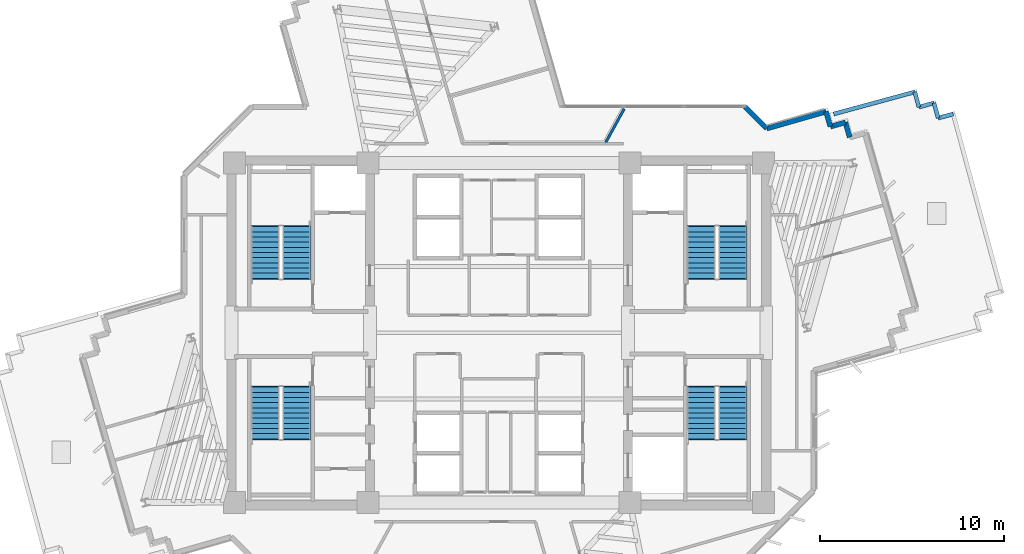
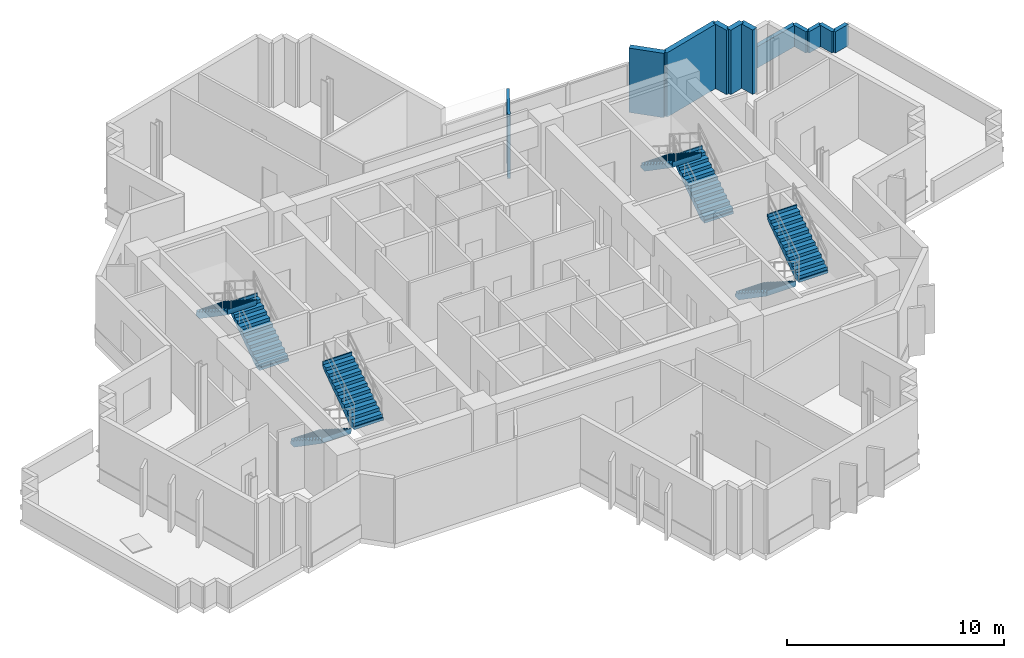
# One storey, part 11 of 14: 11 walls, 8 stair flights, 4 elements without a shape of their own.
"""IFC4 building model written with IfcOpenShell, lengths in metres."""

from ifc_helpers import new_model, si_unit, direction, frame, frame_2d, origin, place, context, subcontext, project, spatial, polyline, rectangle, outline, extrude, source, transform, mapped, material, layer, layer_set, type_object, element, aggregate, save


model = new_model("IFC4")

# Units and contexts
model_context = context("Model", 3, precision=1e-05, world=origin(), true_north=direction((0.0, 1.0)))
body_context = subcontext(model_context, "Body", "Model", "MODEL_VIEW")
ifc_project = project(units=[si_unit("LENGTHUNIT", "METRE"), si_unit("AREAUNIT", "SQUARE_METRE"), si_unit("VOLUMEUNIT", "CUBIC_METRE"), si_unit("PLANEANGLEUNIT", "RADIAN"), si_unit("MASSUNIT", "GRAM", prefix="KILO")], contexts=[model_context])

# Site, building, storey
site_placement = place(None, origin())
site = spatial("IfcSite", under=ifc_project, at=site_placement, CompositionType="ELEMENT")
building_placement = place(site_placement, origin())
building = spatial("IfcBuilding", under=site, at=building_placement, Name="Zahravan Cultural Tower", CompositionType="ELEMENT")
storey_placement = place(building_placement, frame((0.0, 0.0, 201.89990234375)))
storey = spatial("IfcBuildingStorey", under=building, at=storey_placement, Name="L47", CompositionType="ELEMENT", Elevation=201.89990234375)

# Walls
ifc_material_1 = material(Name="Precast concrete C40/50", Category="concrete")
ifc_layer_1 = layer(ifc_material_1, 0.280029296875)
ifc_layer_set_1 = layer_set([ifc_layer_1], Name="Precast concrete C40/50")
wall_type_1 = type_object("IfcWallType", Name="EW-TC-280", PredefinedType="SOLIDWALL", material=ifc_layer_set_1)
shared_shape_1 = source(origin(), body_context, "Body", "SweptSolid", [
    extrude(rectangle(XDim=0.85009765625, YDim=0.280029296875, at=frame_2d((0.425048828125, 0.0))), origin(), (0.0, 0.0, 1.0), 3.6201171875),
])
for number, where, z_axis, x_axis, name in (
    (1, (53.743896484375, 39.001708984375, 0.0), (0.0, 0.0, 1.0), (0.275100375961, -0.961415510144, 0.0), "L47 Exterior Masonry Frame Wall 02"),
    (2, (54.794921875, 38.418212890625, 0.0), (0.0, 0.0, 1.0), (0.274834915789, -0.961491429532, 0.0), "L47 Exterior Masonry Frame Wall 04"),
):
    element("IfcWall", number, at=place(storey_placement, frame(where, z_axis=z_axis, x_axis=x_axis)), inside=storey, type_object=wall_type_1, Name=name, PredefinedType="SOLIDWALL", context=body_context, shape_type="MappedRepresentation", body=[
        mapped(shared_shape_1, transform((0.0, 0.0, 0.0), x_axis=(1.0, 0.0, 0.0), y_axis=(0.0, 1.0, 0.0), z_axis=(0.0, 0.0, 1.0), scale=1.0)),
    ])
shared_shape_2 = source(origin(), body_context, "Body", "SweptSolid", [
    extrude(rectangle(XDim=0.849853515625, YDim=0.280029296875, at=frame_2d((0.4248046875, 0.0))), origin(), (0.0, 0.0, 1.0), 3.6201171875),
])
wall_1_placement = place(storey_placement, frame((53.977783203125, 38.184326171875, 0.0), z_axis=(0.0, 0.0, 1.0), x_axis=(0.961393768724, 0.275176346112, 0.0)))
element("IfcWall", 3, at=wall_1_placement, inside=storey, type_object=wall_type_1, Name="L47 Exterior Masonry Frame Wall 03", PredefinedType="SOLIDWALL", context=body_context, shape_type="MappedRepresentation", body=[
    mapped(shared_shape_2, transform((0.0, 0.0, 0.0), x_axis=(1.0, 0.0, 0.0), y_axis=(0.0, 1.0, 0.0), z_axis=(0.0, 0.0, 1.0), scale=1.0)),
])
ifc_layer_2 = layer(ifc_material_1, 0.219970703125)
ifc_layer_set_2 = layer_set([ifc_layer_2], Name="Precast concrete C40/50")
wall_type_2 = type_object("IfcWallType", Name="EW-PARAPET-220", PredefinedType="PARAPET", material=ifc_layer_set_2)
shared_shape_3 = source(origin(), body_context, "Body", "SweptSolid", [
    extrude(rectangle(XDim=4.556884765625, YDim=0.219970703125, at=frame_2d((2.2783203125, 0.0))), origin(), (0.0, 0.0, 1.0), 1.2001953125),
])
wall_2_placement = place(storey_placement, frame((54.1572265625, 38.86572265625, 0.0), z_axis=(0.0, 0.0, 1.0), x_axis=(0.965013133794, 0.262201547679, 0.0)))
element("IfcWall", 4, at=wall_2_placement, inside=storey, type_object=wall_type_2, Name="L47 Setback Roof Parapet 1", PredefinedType="PARAPET", context=body_context, shape_type="MappedRepresentation", body=[
    mapped(shared_shape_3, transform((0.0, 0.0, 0.0), x_axis=(1.0, 0.0, 0.0), y_axis=(0.0, 1.0, 0.0), z_axis=(0.0, 0.0, 1.0), scale=1.0)),
])
shared_shape_4 = source(origin(), body_context, "Body", "SweptSolid", [
    extrude(rectangle(XDim=0.85009765625, YDim=0.219970703125, at=frame_2d((0.425048828125, 0.0))), origin(), (0.0, 0.0, 1.0), 1.2001953125),
])
for number, where, z_axis, x_axis, name in (
    (5, (58.5546875, 40.060546875, 0.0), (0.0, 0.0, 1.0), (0.262218119094, -0.965008631059, 0.0), "L47 Setback Roof Parapet 2"),
    (6, (58.777587890625, 39.240234375, 0.0), (0.0, 0.0, 1.0), (0.965008631059, 0.262218119094, 0.0), "L47 Setback Roof Parapet 3"),
    (7, (59.597900390625, 39.463134765625, 0.0), (0.0, 0.0, 1.0), (0.262218119094, -0.965008631059, 0.0), "L47 Setback Roof Parapet 4"),
    (8, (59.82080078125, 38.642822265625, 0.0), (0.0, 0.0, 1.0), (0.965008631059, 0.262218119094, 0.0), "L47 Setback Roof Parapet 5"),
):
    element("IfcWall", number, at=place(storey_placement, frame(where, z_axis=z_axis, x_axis=x_axis)), inside=storey, type_object=wall_type_2, Name=name, PredefinedType="PARAPET", context=body_context, shape_type="MappedRepresentation", body=[
        mapped(shared_shape_4, transform((0.0, 0.0, 0.0), x_axis=(1.0, 0.0, 0.0), y_axis=(0.0, 1.0, 0.0), z_axis=(0.0, 0.0, 1.0), scale=1.0)),
    ])
shared_shape_5 = source(origin(), body_context, "Body", "SweptSolid", [
    extrude(rectangle(XDim=3.35107421875, YDim=0.280029296875, at=frame_2d((1.675537109375, 0.0))), origin(), (0.0, 0.0, 1.0), 3.6201171875),
])
wall_3_placement = place(storey_placement, frame((50.52197265625, 38.080078125, 0.0), z_axis=(0.0, 0.0, 1.0), x_axis=(0.961438677319, 0.275019398869, 0.0)))
element("IfcWall", 9, at=wall_3_placement, inside=storey, type_object=wall_type_1, Name="L47 Exterior Masonry Frame Wall 01", PredefinedType="SOLIDWALL", context=body_context, shape_type="MappedRepresentation", body=[
    mapped(shared_shape_5, transform((0.0, 0.0, 0.0), x_axis=(1.0, 0.0, 0.0), y_axis=(0.0, 1.0, 0.0), z_axis=(0.0, 0.0, 1.0), scale=1.0)),
])
shared_shape_6 = source(origin(), body_context, "Body", "SweptSolid", [
    extrude(rectangle(XDim=1.668701171875, YDim=0.280029296875, at=frame_2d((0.83447265625, 0.0))), origin(), (0.0, 0.0, 1.0), 3.6201171875),
])
wall_4_placement = place(storey_placement, frame((49.342041015625, 39.260009765625, 0.0), z_axis=(0.0, 0.0, 1.0), x_axis=(0.707106781187, -0.707106781187, 0.0)))
element("IfcWall", 10, at=wall_4_placement, inside=storey, type_object=wall_type_1, Name="L47 Exterior Masonry Frame Wall 52", PredefinedType="SOLIDWALL", context=body_context, shape_type="MappedRepresentation", body=[
    mapped(shared_shape_6, transform((0.0, 0.0, 0.0), x_axis=(1.0, 0.0, 0.0), y_axis=(0.0, 1.0, 0.0), z_axis=(0.0, 0.0, 1.0), scale=1.0)),
])
ifc_material_2 = material(Name="Gypsum plasterboard partition")
ifc_layer_3 = layer(ifc_material_2, 0.139892578125)
ifc_layer_set_3 = layer_set([ifc_layer_3], Name="Gypsum plasterboard partition")
wall_type_3 = type_object("IfcWallType", Name="W-PART-140", PredefinedType="PARTITIONING", material=ifc_layer_set_3)
shared_shape_7 = source(origin(), body_context, "Body", "SweptSolid", [
    extrude(rectangle(XDim=2.079833984375, YDim=0.139892578125, at=frame_2d((1.0400390625, 0.0))), origin(), (0.0, 0.0, 1.0), 3.6201171875),
])
wall_5_placement = place(storey_placement, frame((42.792236328125, 39.14501953125, 0.0), z_axis=(0.0, 0.0, 1.0), x_axis=(-0.481301259497, -0.87655524504, 0.0)))
element("IfcWall", 11, at=wall_5_placement, inside=storey, type_object=wall_type_3, Name="L47 Interior Wall 095", PredefinedType="PARTITIONING", context=body_context, shape_type="MappedRepresentation", body=[
    mapped(shared_shape_7, transform((0.0, 0.0, 0.0), x_axis=(1.0, 0.0, 0.0), y_axis=(0.0, 1.0, 0.0), z_axis=(0.0, 0.0, 1.0), scale=1.0)),
])

# Stair, stair flights
ifc_material_3 = material(Name="Concrete C45/55", Category="concrete")
stair_type = type_object("IfcStairType", Name="STR-DL-1550-390", PredefinedType="HALF_TURN_STAIR", material=ifc_material_3)
stair_1_placement = place(storey_placement, origin())
stair_1 = element("IfcStair", 12, at=stair_1_placement, inside=storey, type_object=stair_type, Name="L47 West Core North Exit Stair ST-W1", PredefinedType="HALF_TURN_STAIR")
stair_flight_type = type_object("IfcStairFlightType", Name="FLG-DL-1550-390", PredefinedType="STRAIGHT", material=ifc_material_3)
stair_flight_1_placement = place(storey_placement, frame((25.02490234375, 29.949951171875, 0.0), z_axis=(0.0, 0.0, 1.0), x_axis=(0.0, 1.0, 0.0)))
stair_flight_1 = element("IfcStairFlight", 13, at=stair_flight_1_placement, type_object=stair_flight_type, Name="ST-W1 flight 1", NumberOfRisers=11, NumberOfTreads=10, PredefinedType="STRAIGHT", RiserHeight=0.177272727, TreadLength=0.28, context=body_context, shape_type="SweptSolid", body=[
    extrude(outline(polyline([(-0.06494140625, -0.139892578125), (-0.06494140625, 0.0), (0.0, 0.0), (0.0, 0.17724609375), (0.280029296875, 0.17724609375), (0.280029296875, 0.3544921875), (0.56005859375, 0.3544921875), (0.56005859375, 0.53173828125), (0.840087890625, 0.53173828125), (0.840087890625, 0.708984375), (1.1201171875, 0.708984375), (1.1201171875, 0.886474609375), (1.39990234375, 0.886474609375), (1.39990234375, 1.063720703125), (1.679931640625, 1.063720703125), (1.679931640625, 1.240966796875), (1.9599609375, 1.240966796875), (1.9599609375, 1.418212890625), (2.239990234375, 1.418212890625), (2.239990234375, 1.595458984375), (2.52001953125, 1.595458984375), (2.52001953125, 1.772705078125), (2.800048828125, 1.772705078125), (2.800048828125, 1.949951171875), (2.864990234375, 1.949951171875), (2.864990234375, 1.800048828125), (2.800048828125, 1.59521484375), (0.2802734375, -0.139892578125), (-0.06494140625, -0.139892578125)])), frame((0.0, 0.77490234375, 0.0), z_axis=(0.0, -1.0, 0.0), x_axis=(1.0, 0.0, 0.0)), (0.0, 0.0, 1.0), 1.550048828125),
])
stair_flight_2_placement = place(storey_placement, frame((23.324951171875, 32.75, 1.9501953125), z_axis=(0.0, 0.0, 1.0), x_axis=(0.0, -1.0, 0.0)))
stair_flight_2 = element("IfcStairFlight", 14, at=stair_flight_2_placement, type_object=stair_flight_type, Name="ST-W1 flight 2", NumberOfRisers=11, NumberOfTreads=10, PredefinedType="STRAIGHT", RiserHeight=0.177272727, TreadLength=0.28, context=body_context, shape_type="SweptSolid", body=[
    extrude(outline(polyline([(-0.06494140625, -0.139892578125), (-0.06494140625, 0.0), (0.0, 0.0), (0.0, 0.17724609375), (0.280029296875, 0.17724609375), (0.280029296875, 0.3544921875), (0.56005859375, 0.3544921875), (0.56005859375, 0.53173828125), (0.840087890625, 0.53173828125), (0.840087890625, 0.708984375), (1.1201171875, 0.708984375), (1.1201171875, 0.886474609375), (1.39990234375, 0.886474609375), (1.39990234375, 1.063720703125), (1.679931640625, 1.063720703125), (1.679931640625, 1.240966796875), (1.9599609375, 1.240966796875), (1.9599609375, 1.418212890625), (2.239990234375, 1.418212890625), (2.239990234375, 1.595458984375), (2.52001953125, 1.595458984375), (2.52001953125, 1.772705078125), (2.800048828125, 1.772705078125), (2.800048828125, 1.949951171875), (2.864990234375, 1.949951171875), (2.864990234375, 1.800048828125), (2.800048828125, 1.59521484375), (0.2802734375, -0.139892578125), (-0.06494140625, -0.139892578125)])), frame((0.0, 0.77490234375, 0.0), z_axis=(0.0, -1.0, 0.0), x_axis=(1.0, 0.0, 0.0)), (0.0, 0.0, 1.0), 1.550048828125),
])
aggregate(stair_1, [stair_flight_1, stair_flight_2])

stair_2_placement = place(storey_placement, origin())
stair_2 = element("IfcStair", 15, at=stair_2_placement, inside=storey, type_object=stair_type, Name="L47 West Core South Exit Stair ST-W2", PredefinedType="HALF_TURN_STAIR")
stair_flight_3_placement = place(storey_placement, frame((23.324951171875, 24.050048828125, 0.0), z_axis=(0.0, 0.0, 1.0), x_axis=(0.0, -1.0, 0.0)))
stair_flight_3 = element("IfcStairFlight", 16, at=stair_flight_3_placement, type_object=stair_flight_type, Name="ST-W2 flight 1", NumberOfRisers=11, NumberOfTreads=10, PredefinedType="STRAIGHT", RiserHeight=0.177272727, TreadLength=0.28, context=body_context, shape_type="SweptSolid", body=[
    extrude(outline(polyline([(-0.06494140625, -0.139892578125), (-0.06494140625, 0.0), (0.0, 0.0), (0.0, 0.17724609375), (0.280029296875, 0.17724609375), (0.280029296875, 0.3544921875), (0.56005859375, 0.3544921875), (0.56005859375, 0.53173828125), (0.840087890625, 0.53173828125), (0.840087890625, 0.708984375), (1.1201171875, 0.708984375), (1.1201171875, 0.886474609375), (1.39990234375, 0.886474609375), (1.39990234375, 1.063720703125), (1.679931640625, 1.063720703125), (1.679931640625, 1.240966796875), (1.9599609375, 1.240966796875), (1.9599609375, 1.418212890625), (2.239990234375, 1.418212890625), (2.239990234375, 1.595458984375), (2.52001953125, 1.595458984375), (2.52001953125, 1.772705078125), (2.800048828125, 1.772705078125), (2.800048828125, 1.949951171875), (2.864990234375, 1.949951171875), (2.864990234375, 1.800048828125), (2.800048828125, 1.59521484375), (0.2802734375, -0.139892578125), (-0.06494140625, -0.139892578125)])), frame((0.0, 0.77490234375, 0.0), z_axis=(0.0, -1.0, 0.0), x_axis=(1.0, 0.0, 0.0)), (0.0, 0.0, 1.0), 1.550048828125),
])
stair_flight_4_placement = place(storey_placement, frame((25.02490234375, 21.25, 1.9501953125), z_axis=(0.0, 0.0, 1.0), x_axis=(0.0, 1.0, 0.0)))
stair_flight_4 = element("IfcStairFlight", 17, at=stair_flight_4_placement, type_object=stair_flight_type, Name="ST-W2 flight 2", NumberOfRisers=11, NumberOfTreads=10, PredefinedType="STRAIGHT", RiserHeight=0.177272727, TreadLength=0.28, context=body_context, shape_type="SweptSolid", body=[
    extrude(outline(polyline([(-0.06494140625, -0.139892578125), (-0.06494140625, 0.0), (0.0, 0.0), (0.0, 0.17724609375), (0.280029296875, 0.17724609375), (0.280029296875, 0.3544921875), (0.56005859375, 0.3544921875), (0.56005859375, 0.53173828125), (0.840087890625, 0.53173828125), (0.840087890625, 0.708984375), (1.1201171875, 0.708984375), (1.1201171875, 0.886474609375), (1.39990234375, 0.886474609375), (1.39990234375, 1.063720703125), (1.679931640625, 1.063720703125), (1.679931640625, 1.240966796875), (1.9599609375, 1.240966796875), (1.9599609375, 1.418212890625), (2.239990234375, 1.418212890625), (2.239990234375, 1.595458984375), (2.52001953125, 1.595458984375), (2.52001953125, 1.772705078125), (2.800048828125, 1.772705078125), (2.800048828125, 1.949951171875), (2.864990234375, 1.949951171875), (2.864990234375, 1.800048828125), (2.800048828125, 1.59521484375), (0.2802734375, -0.139892578125), (-0.06494140625, -0.139892578125)])), frame((0.0, 0.77490234375, 0.0), z_axis=(0.0, -1.0, 0.0), x_axis=(1.0, 0.0, 0.0)), (0.0, 0.0, 1.0), 1.550048828125),
])
aggregate(stair_2, [stair_flight_3, stair_flight_4])

stair_3_placement = place(storey_placement, origin())
stair_3 = element("IfcStair", 18, at=stair_3_placement, inside=storey, type_object=stair_type, Name="L47 East Core North Exit Stair ST-E1", PredefinedType="HALF_TURN_STAIR")
stair_flight_5_placement = place(storey_placement, frame((48.675048828125, 29.949951171875, 0.0), z_axis=(0.0, 0.0, 1.0), x_axis=(0.0, 1.0, 0.0)))
stair_flight_5 = element("IfcStairFlight", 19, at=stair_flight_5_placement, type_object=stair_flight_type, Name="ST-E1 flight 1", NumberOfRisers=11, NumberOfTreads=10, PredefinedType="STRAIGHT", RiserHeight=0.177272727, TreadLength=0.28, context=body_context, shape_type="SweptSolid", body=[
    extrude(outline(polyline([(-0.06494140625, -0.139892578125), (-0.06494140625, 0.0), (0.0, 0.0), (0.0, 0.17724609375), (0.280029296875, 0.17724609375), (0.280029296875, 0.3544921875), (0.56005859375, 0.3544921875), (0.56005859375, 0.53173828125), (0.840087890625, 0.53173828125), (0.840087890625, 0.708984375), (1.1201171875, 0.708984375), (1.1201171875, 0.886474609375), (1.39990234375, 0.886474609375), (1.39990234375, 1.063720703125), (1.679931640625, 1.063720703125), (1.679931640625, 1.240966796875), (1.9599609375, 1.240966796875), (1.9599609375, 1.418212890625), (2.239990234375, 1.418212890625), (2.239990234375, 1.595458984375), (2.52001953125, 1.595458984375), (2.52001953125, 1.772705078125), (2.800048828125, 1.772705078125), (2.800048828125, 1.949951171875), (2.864990234375, 1.949951171875), (2.864990234375, 1.800048828125), (2.800048828125, 1.59521484375), (0.2802734375, -0.139892578125), (-0.06494140625, -0.139892578125)])), frame((0.0, 0.77490234375, 0.0), z_axis=(0.0, -1.0, 0.0), x_axis=(1.0, 0.0, 0.0)), (0.0, 0.0, 1.0), 1.550048828125),
])
stair_flight_6_placement = place(storey_placement, frame((46.97509765625, 32.75, 1.9501953125), z_axis=(0.0, 0.0, 1.0), x_axis=(0.0, -1.0, 0.0)))
stair_flight_6 = element("IfcStairFlight", 20, at=stair_flight_6_placement, type_object=stair_flight_type, Name="ST-E1 flight 2", NumberOfRisers=11, NumberOfTreads=10, PredefinedType="STRAIGHT", RiserHeight=0.177272727, TreadLength=0.28, context=body_context, shape_type="SweptSolid", body=[
    extrude(outline(polyline([(-0.06494140625, -0.139892578125), (-0.06494140625, 0.0), (0.0, 0.0), (0.0, 0.17724609375), (0.280029296875, 0.17724609375), (0.280029296875, 0.3544921875), (0.56005859375, 0.3544921875), (0.56005859375, 0.53173828125), (0.840087890625, 0.53173828125), (0.840087890625, 0.708984375), (1.1201171875, 0.708984375), (1.1201171875, 0.886474609375), (1.39990234375, 0.886474609375), (1.39990234375, 1.063720703125), (1.679931640625, 1.063720703125), (1.679931640625, 1.240966796875), (1.9599609375, 1.240966796875), (1.9599609375, 1.418212890625), (2.239990234375, 1.418212890625), (2.239990234375, 1.595458984375), (2.52001953125, 1.595458984375), (2.52001953125, 1.772705078125), (2.800048828125, 1.772705078125), (2.800048828125, 1.949951171875), (2.864990234375, 1.949951171875), (2.864990234375, 1.800048828125), (2.800048828125, 1.59521484375), (0.2802734375, -0.139892578125), (-0.06494140625, -0.139892578125)])), frame((0.0, 0.77490234375, 0.0), z_axis=(0.0, -1.0, 0.0), x_axis=(1.0, 0.0, 0.0)), (0.0, 0.0, 1.0), 1.550048828125),
])
aggregate(stair_3, [stair_flight_5, stair_flight_6])

stair_4_placement = place(storey_placement, origin())
stair_4 = element("IfcStair", 21, at=stair_4_placement, inside=storey, type_object=stair_type, Name="L47 East Core South Exit Stair ST-E2", PredefinedType="HALF_TURN_STAIR")
stair_flight_7_placement = place(storey_placement, frame((46.97509765625, 24.050048828125, 0.0), z_axis=(0.0, 0.0, 1.0), x_axis=(0.0, -1.0, 0.0)))
stair_flight_7 = element("IfcStairFlight", 22, at=stair_flight_7_placement, type_object=stair_flight_type, Name="ST-E2 flight 1", NumberOfRisers=11, NumberOfTreads=10, PredefinedType="STRAIGHT", RiserHeight=0.177272727, TreadLength=0.28, context=body_context, shape_type="SweptSolid", body=[
    extrude(outline(polyline([(-0.06494140625, -0.139892578125), (-0.06494140625, 0.0), (0.0, 0.0), (0.0, 0.17724609375), (0.280029296875, 0.17724609375), (0.280029296875, 0.3544921875), (0.56005859375, 0.3544921875), (0.56005859375, 0.53173828125), (0.840087890625, 0.53173828125), (0.840087890625, 0.708984375), (1.1201171875, 0.708984375), (1.1201171875, 0.886474609375), (1.39990234375, 0.886474609375), (1.39990234375, 1.063720703125), (1.679931640625, 1.063720703125), (1.679931640625, 1.240966796875), (1.9599609375, 1.240966796875), (1.9599609375, 1.418212890625), (2.239990234375, 1.418212890625), (2.239990234375, 1.595458984375), (2.52001953125, 1.595458984375), (2.52001953125, 1.772705078125), (2.800048828125, 1.772705078125), (2.800048828125, 1.949951171875), (2.864990234375, 1.949951171875), (2.864990234375, 1.800048828125), (2.800048828125, 1.59521484375), (0.2802734375, -0.139892578125), (-0.06494140625, -0.139892578125)])), frame((0.0, 0.77490234375, 0.0), z_axis=(0.0, -1.0, 0.0), x_axis=(1.0, 0.0, 0.0)), (0.0, 0.0, 1.0), 1.550048828125),
])
stair_flight_8_placement = place(storey_placement, frame((48.675048828125, 21.25, 1.9501953125), z_axis=(0.0, 0.0, 1.0), x_axis=(0.0, 1.0, 0.0)))
stair_flight_8 = element("IfcStairFlight", 23, at=stair_flight_8_placement, type_object=stair_flight_type, Name="ST-E2 flight 2", NumberOfRisers=11, NumberOfTreads=10, PredefinedType="STRAIGHT", RiserHeight=0.177272727, TreadLength=0.28, context=body_context, shape_type="SweptSolid", body=[
    extrude(outline(polyline([(-0.06494140625, -0.139892578125), (-0.06494140625, 0.0), (0.0, 0.0), (0.0, 0.17724609375), (0.280029296875, 0.17724609375), (0.280029296875, 0.3544921875), (0.56005859375, 0.3544921875), (0.56005859375, 0.53173828125), (0.840087890625, 0.53173828125), (0.840087890625, 0.708984375), (1.1201171875, 0.708984375), (1.1201171875, 0.886474609375), (1.39990234375, 0.886474609375), (1.39990234375, 1.063720703125), (1.679931640625, 1.063720703125), (1.679931640625, 1.240966796875), (1.9599609375, 1.240966796875), (1.9599609375, 1.418212890625), (2.239990234375, 1.418212890625), (2.239990234375, 1.595458984375), (2.52001953125, 1.595458984375), (2.52001953125, 1.772705078125), (2.800048828125, 1.772705078125), (2.800048828125, 1.949951171875), (2.864990234375, 1.949951171875), (2.864990234375, 1.800048828125), (2.800048828125, 1.59521484375), (0.2802734375, -0.139892578125), (-0.06494140625, -0.139892578125)])), frame((0.0, 0.77490234375, 0.0), z_axis=(0.0, -1.0, 0.0), x_axis=(1.0, 0.0, 0.0)), (0.0, 0.0, 1.0), 1.550048828125),
])
aggregate(stair_4, [stair_flight_7, stair_flight_8])

save(model, "model.ifc")
